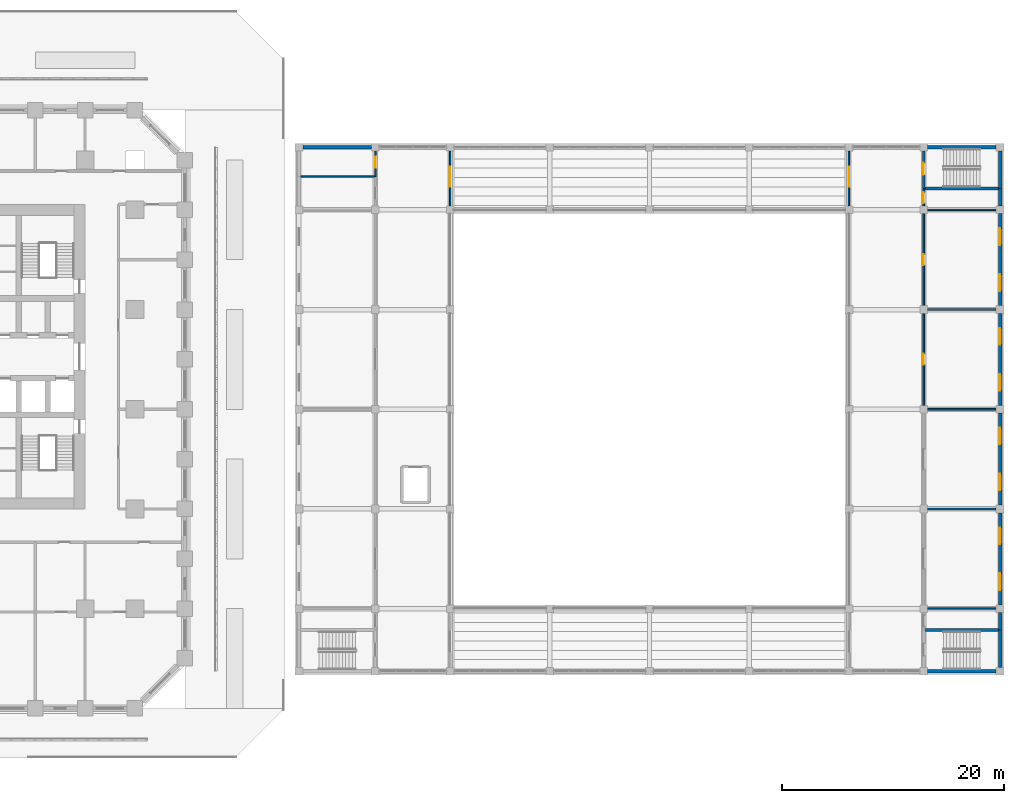
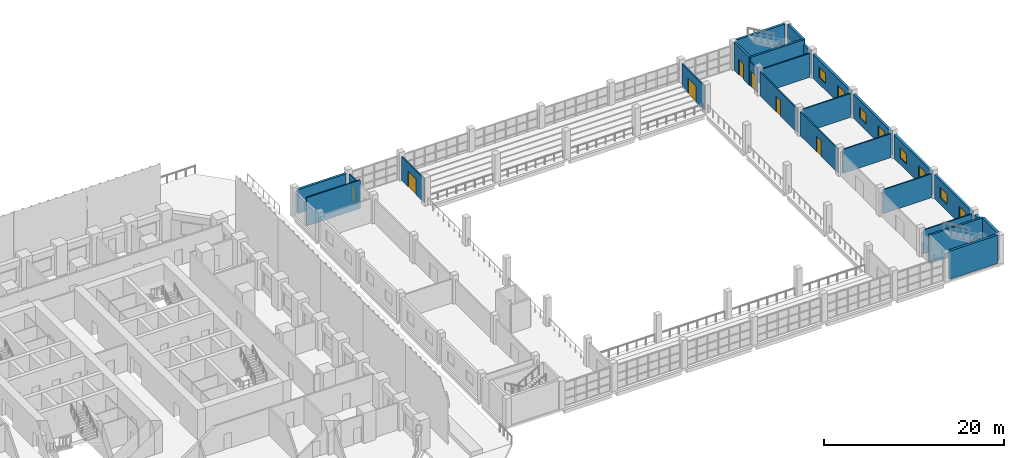
# One storey, part 24 of 36: 26 walls, 8 windows, 7 doors, 15 openings.
"""IFC4 building model written with IfcOpenShell, lengths in metres."""

from ifc_helpers import new_model, si_unit, direction, frame, frame_2d, origin, place, context, subcontext, project, spatial, rectangle, extrude, material, layer, layer_set, type_object, element, fill, save


model = new_model("IFC4")

# Units and contexts
model_context = context("Model", 3, precision=1e-05, world=origin(), true_north=direction((0.0, 1.0)))
body_context = subcontext(model_context, "Body", "Model", "MODEL_VIEW")
ifc_project = project(units=[si_unit("LENGTHUNIT", "METRE"), si_unit("AREAUNIT", "SQUARE_METRE"), si_unit("VOLUMEUNIT", "CUBIC_METRE"), si_unit("PLANEANGLEUNIT", "RADIAN"), si_unit("MASSUNIT", "GRAM", prefix="KILO")], contexts=[model_context])

# Site, building, storey
site_placement = place(None, origin())
site = spatial("IfcSite", under=ifc_project, at=site_placement, CompositionType="ELEMENT")
building_placement = place(site_placement, origin())
building = spatial("IfcBuilding", under=site, at=building_placement, Name="Corbel Stack Research Tower", CompositionType="ELEMENT")
storey_placement = place(building_placement, frame((0.0, 0.0, 7.199951171875)))
storey = spatial("IfcBuildingStorey", under=building, at=storey_placement, Name="L01", CompositionType="ELEMENT", Elevation=7.199951171875)

# Walls
ifc_material_1 = material(Name="Concrete C40/50", Category="concrete")
ifc_layer_1 = layer(ifc_material_1, 0.300048828125)
ifc_layer_set_1 = layer_set([ifc_layer_1], Name="Concrete C40/50")
wall_type_1 = type_object("IfcWallType", Name="HW1 exterior wall 300", PredefinedType="SOLIDWALL", material=ifc_layer_set_1)
wall_1_placement = place(storey_placement, frame((37.64990234375, 23.64990234375, 0.0), z_axis=(0.0, 0.0, 1.0), x_axis=(1.0, 0.0, 0.0)))
element("IfcWall", 1, at=wall_1_placement, inside=storey, type_object=wall_type_1, Name="Exterior wall L01 h23.65/37.6", PredefinedType="SOLIDWALL", context=body_context, shape_type="SweptSolid", body=[
    extrude(rectangle(XDim=6.2001953125, YDim=0.300048828125, at=frame_2d((3.10009765625, 0.0))), origin(), (0.0, 0.0, 1.0), 3.25),
])
wall_2_placement = place(storey_placement, frame((100.60009765625, -19.925048828125, 0.0), z_axis=(0.0, 0.0, 1.0), x_axis=(0.0, 1.0, 0.0)))
element("IfcWall", 2, at=wall_2_placement, inside=storey, type_object=wall_type_1, Name="Exterior wall L01 v100.60/-19.9", PredefinedType="SOLIDWALL", context=body_context, shape_type="SweptSolid", body=[
    extrude(rectangle(XDim=1.574951171875, YDim=0.300048828125, at=frame_2d((0.78759765625, 0.0))), origin(), (0.0, 0.0, 1.0), 3.25),
])

# Wall, openings, windows
wall_3_placement = place(storey_placement, frame((100.60009765625, -17.64990234375, 0.0), z_axis=(0.0, 0.0, 1.0), x_axis=(0.0, 1.0, 0.0)))
wall_3 = element("IfcWall", 3, at=wall_3_placement, inside=storey, type_object=wall_type_1, Name="Exterior wall L01 v100.60/-17.6", PredefinedType="SOLIDWALL", context=body_context, shape_type="SweptSolid", body=[
    extrude(rectangle(XDim=8.2998046875, YDim=0.300048828125, at=frame_2d((4.14990234375, 0.0))), origin(), (0.0, 0.0, 1.0), 3.25),
])
opening_1_placement = place(wall_3_placement, frame((1.324951171875, 0.0, 0.89990234375)))
opening_1 = element("IfcOpeningElement", 4, at=opening_1_placement, cuts=wall_3, Name="Opening HX1", PredefinedType="OPENING", context=body_context, shape_type="SweptSolid", body=[
    extrude(rectangle(XDim=1.5, YDim=1.39990234375, at=frame_2d((0.75, 0.699951171875))), frame((0.0, 0.159912109375, 0.0), z_axis=(0.0, -1.0, 0.0), x_axis=(1.0, 0.0, 0.0)), (0.0, 0.0, 1.0), 0.320068359375),
])
opening_2_placement = place(wall_3_placement, frame((5.47509765625, 0.0, 0.89990234375)))
opening_2 = element("IfcOpeningElement", 5, at=opening_2_placement, cuts=wall_3, Name="Opening HX1", PredefinedType="OPENING", context=body_context, shape_type="SweptSolid", body=[
    extrude(rectangle(XDim=1.5, YDim=1.39990234375, at=frame_2d((0.75, 0.699951171875))), frame((0.0, 0.159912109375, 0.0), z_axis=(0.0, -1.0, 0.0), x_axis=(1.0, 0.0, 0.0)), (0.0, 0.0, 1.0), 0.320068359375),
])
ifc_material_2 = material(Name="Glass and aluminium", Category="aluminium")
window_type = type_object("IfcWindowType", Name="HW6 window 1500 x 1400", PartitioningType="SINGLE_PANEL", PredefinedType="WINDOW", material=ifc_material_2)
window_1_placement = place(opening_1_placement, origin())
window_1 = element("IfcWindow", 6, at=window_1_placement, inside=storey, type_object=window_type, Name="Window L01 Studio 1", OverallHeight=1.39990234375, OverallWidth=1.5, PartitioningType="SINGLE_PANEL", PredefinedType="WINDOW", context=body_context, shape_type="SweptSolid", body=[
    extrude(rectangle(XDim=1.5, YDim=1.39990234375, at=frame_2d((0.75, 0.699951171875))), frame((0.0, 0.030029296875, 0.0), z_axis=(0.0, -1.0, 0.0), x_axis=(1.0, 0.0, 0.0)), (0.0, 0.0, 1.0), 0.06005859375),
])
fill(opening_1, window_1)
window_2_placement = place(opening_2_placement, origin())
window_2 = element("IfcWindow", 7, at=window_2_placement, inside=storey, type_object=window_type, Name="Window L01 Studio 1", OverallHeight=1.39990234375, OverallWidth=1.5, PartitioningType="SINGLE_PANEL", PredefinedType="WINDOW", context=body_context, shape_type="SweptSolid", body=[
    extrude(rectangle(XDim=1.5, YDim=1.39990234375, at=frame_2d((0.75, 0.699951171875))), frame((0.0, 0.030029296875, 0.0), z_axis=(0.0, -1.0, 0.0), x_axis=(1.0, 0.0, 0.0)), (0.0, 0.0, 1.0), 0.06005859375),
])
fill(opening_2, window_2)

wall_4_placement = place(storey_placement, frame((100.60009765625, -8.64990234375, 0.0), z_axis=(0.0, 0.0, 1.0), x_axis=(0.0, 1.0, 0.0)))
wall_4 = element("IfcWall", 8, at=wall_4_placement, inside=storey, type_object=wall_type_1, Name="Exterior wall L01 v100.60/-8.7", PredefinedType="SOLIDWALL", context=body_context, shape_type="SweptSolid", body=[
    extrude(rectangle(XDim=8.2998046875, YDim=0.300048828125, at=frame_2d((4.14990234375, 0.0))), origin(), (0.0, 0.0, 1.0), 3.25),
])
opening_3_placement = place(wall_4_placement, frame((1.324951171875, 0.0, 0.89990234375)))
opening_3 = element("IfcOpeningElement", 9, at=opening_3_placement, cuts=wall_4, Name="Opening HX1", PredefinedType="OPENING", context=body_context, shape_type="SweptSolid", body=[
    extrude(rectangle(XDim=1.5, YDim=1.39990234375, at=frame_2d((0.75, 0.699951171875))), frame((0.0, 0.159912109375, 0.0), z_axis=(0.0, -1.0, 0.0), x_axis=(1.0, 0.0, 0.0)), (0.0, 0.0, 1.0), 0.320068359375),
])
opening_4_placement = place(wall_4_placement, frame((5.47509765625, 0.0, 0.89990234375)))
opening_4 = element("IfcOpeningElement", 10, at=opening_4_placement, cuts=wall_4, Name="Opening HX1", PredefinedType="OPENING", context=body_context, shape_type="SweptSolid", body=[
    extrude(rectangle(XDim=1.5, YDim=1.39990234375, at=frame_2d((0.75, 0.699951171875))), frame((0.0, 0.159912109375, 0.0), z_axis=(0.0, -1.0, 0.0), x_axis=(1.0, 0.0, 0.0)), (0.0, 0.0, 1.0), 0.320068359375),
])
window_3_placement = place(opening_3_placement, origin())
window_3 = element("IfcWindow", 11, at=window_3_placement, inside=storey, type_object=window_type, Name="Window L01 Studio 2", OverallHeight=1.39990234375, OverallWidth=1.5, PartitioningType="SINGLE_PANEL", PredefinedType="WINDOW", context=body_context, shape_type="SweptSolid", body=[
    extrude(rectangle(XDim=1.5, YDim=1.39990234375, at=frame_2d((0.75, 0.699951171875))), frame((0.0, 0.030029296875, 0.0), z_axis=(0.0, -1.0, 0.0), x_axis=(1.0, 0.0, 0.0)), (0.0, 0.0, 1.0), 0.06005859375),
])
fill(opening_3, window_3)
window_4_placement = place(opening_4_placement, origin())
window_4 = element("IfcWindow", 12, at=window_4_placement, inside=storey, type_object=window_type, Name="Window L01 Studio 2", OverallHeight=1.39990234375, OverallWidth=1.5, PartitioningType="SINGLE_PANEL", PredefinedType="WINDOW", context=body_context, shape_type="SweptSolid", body=[
    extrude(rectangle(XDim=1.5, YDim=1.39990234375, at=frame_2d((0.75, 0.699951171875))), frame((0.0, 0.030029296875, 0.0), z_axis=(0.0, -1.0, 0.0), x_axis=(1.0, 0.0, 0.0)), (0.0, 0.0, 1.0), 0.06005859375),
])
fill(opening_4, window_4)

wall_5_placement = place(storey_placement, frame((100.60009765625, 0.35009765625, 0.0), z_axis=(0.0, 0.0, 1.0), x_axis=(0.0, 1.0, 0.0)))
wall_5 = element("IfcWall", 13, at=wall_5_placement, inside=storey, type_object=wall_type_1, Name="Exterior wall L01 v100.60/0.3", PredefinedType="SOLIDWALL", context=body_context, shape_type="SweptSolid", body=[
    extrude(rectangle(XDim=8.2998046875, YDim=0.300048828125, at=frame_2d((4.14990234375, 0.0))), origin(), (0.0, 0.0, 1.0), 3.25),
])
opening_5_placement = place(wall_5_placement, frame((1.324951171875, 0.0, 0.89990234375)))
opening_5 = element("IfcOpeningElement", 14, at=opening_5_placement, cuts=wall_5, Name="Opening HX1", PredefinedType="OPENING", context=body_context, shape_type="SweptSolid", body=[
    extrude(rectangle(XDim=1.5, YDim=1.39990234375, at=frame_2d((0.75, 0.699951171875))), frame((0.0, 0.159912109375, 0.0), z_axis=(0.0, -1.0, 0.0), x_axis=(1.0, 0.0, 0.0)), (0.0, 0.0, 1.0), 0.320068359375),
])
opening_6_placement = place(wall_5_placement, frame((5.47509765625, 0.0, 0.89990234375)))
opening_6 = element("IfcOpeningElement", 15, at=opening_6_placement, cuts=wall_5, Name="Opening HX1", PredefinedType="OPENING", context=body_context, shape_type="SweptSolid", body=[
    extrude(rectangle(XDim=1.5, YDim=1.39990234375, at=frame_2d((0.75, 0.699951171875))), frame((0.0, 0.159912109375, 0.0), z_axis=(0.0, -1.0, 0.0), x_axis=(1.0, 0.0, 0.0)), (0.0, 0.0, 1.0), 0.320068359375),
])
window_5_placement = place(opening_5_placement, origin())
window_5 = element("IfcWindow", 16, at=window_5_placement, inside=storey, type_object=window_type, Name="Window L01 Club room", OverallHeight=1.39990234375, OverallWidth=1.5, PartitioningType="SINGLE_PANEL", PredefinedType="WINDOW", context=body_context, shape_type="SweptSolid", body=[
    extrude(rectangle(XDim=1.5, YDim=1.39990234375, at=frame_2d((0.75, 0.699951171875))), frame((0.0, 0.030029296875, 0.0), z_axis=(0.0, -1.0, 0.0), x_axis=(1.0, 0.0, 0.0)), (0.0, 0.0, 1.0), 0.06005859375),
])
fill(opening_5, window_5)
window_6_placement = place(opening_6_placement, origin())
window_6 = element("IfcWindow", 17, at=window_6_placement, inside=storey, type_object=window_type, Name="Window L01 Club room", OverallHeight=1.39990234375, OverallWidth=1.5, PartitioningType="SINGLE_PANEL", PredefinedType="WINDOW", context=body_context, shape_type="SweptSolid", body=[
    extrude(rectangle(XDim=1.5, YDim=1.39990234375, at=frame_2d((0.75, 0.699951171875))), frame((0.0, 0.030029296875, 0.0), z_axis=(0.0, -1.0, 0.0), x_axis=(1.0, 0.0, 0.0)), (0.0, 0.0, 1.0), 0.06005859375),
])
fill(opening_6, window_6)

wall_6_placement = place(storey_placement, frame((100.60009765625, 9.35009765625, 0.0), z_axis=(0.0, 0.0, 1.0), x_axis=(0.0, 1.0, 0.0)))
wall_6 = element("IfcWall", 18, at=wall_6_placement, inside=storey, type_object=wall_type_1, Name="Exterior wall L01 v100.60/9.3", PredefinedType="SOLIDWALL", context=body_context, shape_type="SweptSolid", body=[
    extrude(rectangle(XDim=8.2998046875, YDim=0.300048828125, at=frame_2d((4.14990234375, 0.0))), origin(), (0.0, 0.0, 1.0), 3.25),
])
opening_7_placement = place(wall_6_placement, frame((1.324951171875, 0.0, 0.89990234375)))
opening_7 = element("IfcOpeningElement", 19, at=opening_7_placement, cuts=wall_6, Name="Opening HX1", PredefinedType="OPENING", context=body_context, shape_type="SweptSolid", body=[
    extrude(rectangle(XDim=1.5, YDim=1.39990234375, at=frame_2d((0.75, 0.699951171875))), frame((0.0, 0.159912109375, 0.0), z_axis=(0.0, -1.0, 0.0), x_axis=(1.0, 0.0, 0.0)), (0.0, 0.0, 1.0), 0.320068359375),
])
opening_8_placement = place(wall_6_placement, frame((5.47509765625, 0.0, 0.89990234375)))
opening_8 = element("IfcOpeningElement", 20, at=opening_8_placement, cuts=wall_6, Name="Opening HX1", PredefinedType="OPENING", context=body_context, shape_type="SweptSolid", body=[
    extrude(rectangle(XDim=1.5, YDim=1.39990234375, at=frame_2d((0.75, 0.699951171875))), frame((0.0, 0.159912109375, 0.0), z_axis=(0.0, -1.0, 0.0), x_axis=(1.0, 0.0, 0.0)), (0.0, 0.0, 1.0), 0.320068359375),
])
window_7_placement = place(opening_7_placement, origin())
window_7 = element("IfcWindow", 21, at=window_7_placement, inside=storey, type_object=window_type, Name="Window L01 Physiotherapy room", OverallHeight=1.39990234375, OverallWidth=1.5, PartitioningType="SINGLE_PANEL", PredefinedType="WINDOW", context=body_context, shape_type="SweptSolid", body=[
    extrude(rectangle(XDim=1.5, YDim=1.39990234375, at=frame_2d((0.75, 0.699951171875))), frame((0.0, 0.030029296875, 0.0), z_axis=(0.0, -1.0, 0.0), x_axis=(1.0, 0.0, 0.0)), (0.0, 0.0, 1.0), 0.06005859375),
])
fill(opening_7, window_7)
window_8_placement = place(opening_8_placement, origin())
window_8 = element("IfcWindow", 22, at=window_8_placement, inside=storey, type_object=window_type, Name="Window L01 Physiotherapy room", OverallHeight=1.39990234375, OverallWidth=1.5, PartitioningType="SINGLE_PANEL", PredefinedType="WINDOW", context=body_context, shape_type="SweptSolid", body=[
    extrude(rectangle(XDim=1.5, YDim=1.39990234375, at=frame_2d((0.75, 0.699951171875))), frame((0.0, 0.030029296875, 0.0), z_axis=(0.0, -1.0, 0.0), x_axis=(1.0, 0.0, 0.0)), (0.0, 0.0, 1.0), 0.06005859375),
])
fill(opening_8, window_8)

# Walls
wall_7_placement = place(storey_placement, frame((100.60009765625, 18.35009765625, 0.0), z_axis=(0.0, 0.0, 1.0), x_axis=(0.0, 1.0, 0.0)))
element("IfcWall", 23, at=wall_7_placement, inside=storey, type_object=wall_type_1, Name="Exterior wall L01 v100.60/18.4", PredefinedType="SOLIDWALL", context=body_context, shape_type="SweptSolid", body=[
    extrude(rectangle(XDim=1.574951171875, YDim=0.300048828125, at=frame_2d((0.78759765625, 0.0))), origin(), (0.0, 0.0, 1.0), 3.25),
])
ifc_material_3 = material(Name="Concrete C40/50", Category="concrete")
ifc_layer_2 = layer(ifc_material_3, 0.25)
ifc_layer_set_2 = layer_set([ifc_layer_2], Name="Concrete C40/50")
wall_type_2 = type_object("IfcWallType", Name="HW2 core wall C40/50 250", PredefinedType="SHEAR", material=ifc_layer_set_2)
for number, where, z_axis, x_axis, name in (
    (24, (93.699951171875, -19.925048828125, 0.0), (0.0, 0.0, 1.0), (1.0, 0.0, 0.0), "Wall L01 h-19.93/93.7"),
    (25, (93.699951171875, 19.925048828125, 0.0), (0.0, 0.0, 1.0), (1.0, 0.0, 0.0), "Wall L01 h19.93/93.7"),
):
    element("IfcWall", number, at=place(storey_placement, frame(where, z_axis=z_axis, x_axis=x_axis)), inside=storey, type_object=wall_type_2, Name=name, PredefinedType="SHEAR", context=body_context, shape_type="SweptSolid", body=[
        extrude(rectangle(XDim=6.900146484375, YDim=0.25, at=frame_2d((3.4501953125, 0.0))), origin(), (0.0, 0.0, 1.0), 3.85009765625),
    ])

# Wall, opening, door
wall_8_placement = place(storey_placement, frame((93.699951171875, 19.925048828125, 0.0), z_axis=(0.0, 0.0, 1.0), x_axis=(0.0, 1.0, 0.0)))
wall_8 = element("IfcWall", 26, at=wall_8_placement, inside=storey, type_object=wall_type_2, Name="Wall L01 v93.70/19.9", PredefinedType="SHEAR", context=body_context, shape_type="SweptSolid", body=[
    extrude(rectangle(XDim=3.375, YDim=0.25, at=frame_2d((1.6875, 0.0))), origin(), (0.0, 0.0, 1.0), 3.85009765625),
])
opening_9_placement = place(wall_8_placement, frame((1.22509765625, 0.0, 0.0)))
opening_9 = element("IfcOpeningElement", 27, at=opening_9_placement, cuts=wall_8, Name="Opening H1-19", PredefinedType="OPENING", context=body_context, shape_type="SweptSolid", body=[
    extrude(rectangle(XDim=1.10009765625, YDim=2.10009765625, at=frame_2d((0.550048828125, 1.050048828125))), frame((0.0, 0.135009765625, 0.0), z_axis=(0.0, -1.0, 0.0), x_axis=(1.0, 0.0, 0.0)), (0.0, 0.0, 1.0), 0.27001953125),
])
ifc_material_4 = material(Name="Steel", Category="steel")
door_type_1 = type_object("IfcDoorType", Name="HD4 fire door 1100 x 2100", OperationType="NOTDEFINED", PredefinedType="DOOR", material=ifc_material_4)
door_1_placement = place(opening_9_placement, origin())
door_1 = element("IfcDoor", 28, at=door_1_placement, inside=storey, type_object=door_type_1, Name="Door H1-19", OperationType="SINGLE_SWING_LEFT", OverallHeight=2.10009765625, OverallWidth=1.10009765625, PredefinedType="DOOR", context=body_context, shape_type="SweptSolid", body=[
    extrude(rectangle(XDim=1.10009765625, YDim=2.10009765625, at=frame_2d((0.550048828125, 1.050048828125))), frame((0.0, 0.02490234375, 0.0), z_axis=(0.0, -1.0, 0.0), x_axis=(1.0, 0.0, 0.0)), (0.0, 0.0, 1.0), 0.050048828125),
])
fill(opening_9, door_1)

# Walls
ifc_material_5 = material(Name="Concrete masonry unit", Category="masonry")
ifc_layer_3 = layer(ifc_material_5, 0.14990234375)
ifc_layer_set_3 = layer_set([ifc_layer_3], Name="Concrete masonry unit")
wall_type_3 = type_object("IfcWallType", Name="HW3 partition 150", PredefinedType="PARTITIONING", material=ifc_layer_set_3)
for number, where, z_axis, x_axis, name in (
    (29, (94.050048828125, -18.0, 0.0), (0.0, 0.0, 1.0), (1.0, 0.0, 0.0), "Wall L01 h-18.00/94.0"),
    (30, (94.050048828125, -9.0, 0.0), (0.0, 0.0, 1.0), (1.0, 0.0, 0.0), "Wall L01 h-9.00/94.0"),
    (31, (94.050048828125, 0.0, 0.0), (0.0, 0.0, 1.0), (1.0, 0.0, 0.0), "Wall L01 h0.00/94.0"),
    (32, (94.050048828125, 9.0, 0.0), (0.0, 0.0, 1.0), (1.0, 0.0, 0.0), "Wall L01 h9.00/94.0"),
    (33, (94.050048828125, 18.0, 0.0), (0.0, 0.0, 1.0), (1.0, 0.0, 0.0), "Wall L01 h18.00/94.0"),
):
    element("IfcWall", number, at=place(storey_placement, frame(where, z_axis=z_axis, x_axis=x_axis)), inside=storey, type_object=wall_type_3, Name=name, PredefinedType="PARTITIONING", context=body_context, shape_type="SweptSolid", body=[
        extrude(rectangle(XDim=6.199951171875, YDim=0.14990234375, at=frame_2d((3.10009765625, 0.0))), origin(), (0.0, 0.0, 1.0), 3.25),
    ])
wall_9_placement = place(storey_placement, frame((37.300048828125, 21.0, 0.0), z_axis=(0.0, 0.0, 1.0), x_axis=(1.0, 0.0, 0.0)))
element("IfcWall", 34, at=wall_9_placement, inside=storey, type_object=wall_type_3, Name="Wall L01 h21.00/37.3", PredefinedType="PARTITIONING", context=body_context, shape_type="SweptSolid", body=[
    extrude(rectangle(XDim=6.89990234375, YDim=0.14990234375, at=frame_2d((3.449951171875, 0.0))), origin(), (0.0, 0.0, 1.0), 3.85009765625),
])

# Wall, opening, door
wall_10_placement = place(storey_placement, frame((44.199951171875, 21.0, 0.0), z_axis=(0.0, 0.0, 1.0), x_axis=(0.0, 1.0, 0.0)))
wall_10 = element("IfcWall", 35, at=wall_10_placement, inside=storey, type_object=wall_type_3, Name="Wall L01 v44.20/21.0", PredefinedType="PARTITIONING", context=body_context, shape_type="SweptSolid", body=[
    extrude(rectangle(XDim=2.300048828125, YDim=0.14990234375, at=frame_2d((1.14990234375, 0.0))), origin(), (0.0, 0.0, 1.0), 3.25),
])
opening_10_placement = place(wall_10_placement, frame((0.800048828125, 0.0, 0.0)))
opening_10 = element("IfcOpeningElement", 36, at=opening_10_placement, cuts=wall_10, Name="Opening H1-07", PredefinedType="OPENING", context=body_context, shape_type="SweptSolid", body=[
    extrude(rectangle(XDim=1.0, YDim=2.10009765625, at=frame_2d((0.5, 1.050048828125))), frame((0.0, 0.0849609375, 0.0), z_axis=(0.0, -1.0, 0.0), x_axis=(1.0, 0.0, 0.0)), (0.0, 0.0, 1.0), 0.169921875),
])
ifc_material_6 = material(Name="Timber", Category="wood")
door_type_2 = type_object("IfcDoorType", Name="HD1 single door 1000 x 2100", OperationType="NOTDEFINED", PredefinedType="DOOR", material=ifc_material_6)
door_2_placement = place(opening_10_placement, origin())
door_2 = element("IfcDoor", 37, at=door_2_placement, inside=storey, type_object=door_type_2, Name="Door H1-07", OperationType="SINGLE_SWING_LEFT", OverallHeight=2.10009765625, OverallWidth=1.0, PredefinedType="DOOR", context=body_context, shape_type="SweptSolid", body=[
    extrude(rectangle(XDim=1.0, YDim=2.10009765625, at=frame_2d((0.5, 1.050048828125))), frame((0.0, 0.02490234375, 0.0), z_axis=(0.0, -1.0, 0.0), x_axis=(1.0, 0.0, 0.0)), (0.0, 0.0, 1.0), 0.050048828125),
])
fill(opening_10, door_2)

wall_11_placement = place(storey_placement, frame((50.949951171875, 18.35009765625, 0.0), z_axis=(0.0, 0.0, 1.0), x_axis=(0.0, 1.0, 0.0)))
wall_11 = element("IfcWall", 38, at=wall_11_placement, inside=storey, type_object=wall_type_3, Name="Wall L01 v50.95/18.4", PredefinedType="PARTITIONING", context=body_context, shape_type="SweptSolid", body=[
    extrude(rectangle(XDim=4.949951171875, YDim=0.14990234375, at=frame_2d((2.47509765625, 0.0))), origin(), (0.0, 0.0, 1.0), 3.25),
])
opening_11_placement = place(wall_11_placement, frame((1.75, 0.0, 0.0)))
opening_11 = element("IfcOpeningElement", 39, at=opening_11_placement, cuts=wall_11, Name="Opening H1-09", PredefinedType="OPENING", context=body_context, shape_type="SweptSolid", body=[
    extrude(rectangle(XDim=1.800048828125, YDim=2.10009765625, at=frame_2d((0.89990234375, 1.050048828125))), frame((0.0, 0.0849609375, 0.0), z_axis=(0.0, -1.0, 0.0), x_axis=(1.0, 0.0, 0.0)), (0.0, 0.0, 1.0), 0.169921875),
])
ifc_material_7 = material(Name="Timber", Category="wood")
door_type_3 = type_object("IfcDoorType", Name="HD2 double door 1800 x 2100", OperationType="DOUBLE_DOOR_SINGLE_SWING", PredefinedType="DOOR", material=ifc_material_7)
door_3_placement = place(opening_11_placement, origin())
door_3 = element("IfcDoor", 40, at=door_3_placement, inside=storey, type_object=door_type_3, Name="Door H1-09", OperationType="DOUBLE_DOOR_SINGLE_SWING", OverallHeight=2.10009765625, OverallWidth=1.800048828125, PredefinedType="DOOR", context=body_context, shape_type="SweptSolid", body=[
    extrude(rectangle(XDim=1.800048828125, YDim=2.10009765625, at=frame_2d((0.89990234375, 1.050048828125))), frame((0.0, 0.02490234375, 0.0), z_axis=(0.0, -1.0, 0.0), x_axis=(1.0, 0.0, 0.0)), (0.0, 0.0, 1.0), 0.050048828125),
])
fill(opening_11, door_3)

wall_12_placement = place(storey_placement, frame((86.949951171875, 23.300048828125, 0.0), z_axis=(0.0, 0.0, 1.0), x_axis=(0.0, -1.0, 0.0)))
wall_12 = element("IfcWall", 41, at=wall_12_placement, inside=storey, type_object=wall_type_3, Name="Wall L01 v86.95/18.4", PredefinedType="PARTITIONING", context=body_context, shape_type="SweptSolid", body=[
    extrude(rectangle(XDim=4.949951171875, YDim=0.14990234375, at=frame_2d((2.47509765625, 0.0))), origin(), (0.0, 0.0, 1.0), 3.25),
])
opening_12_placement = place(wall_12_placement, frame((1.39990234375, 0.0, 0.0)))
opening_12 = element("IfcOpeningElement", 42, at=opening_12_placement, cuts=wall_12, Name="Opening H1-11", PredefinedType="OPENING", context=body_context, shape_type="SweptSolid", body=[
    extrude(rectangle(XDim=1.800048828125, YDim=2.10009765625, at=frame_2d((0.89990234375, 1.050048828125))), frame((0.0, 0.0849609375, 0.0), z_axis=(0.0, -1.0, 0.0), x_axis=(1.0, 0.0, 0.0)), (0.0, 0.0, 1.0), 0.169921875),
])
door_4_placement = place(opening_12_placement, origin())
door_4 = element("IfcDoor", 43, at=door_4_placement, inside=storey, type_object=door_type_3, Name="Door H1-11", OperationType="DOUBLE_DOOR_SINGLE_SWING", OverallHeight=2.10009765625, OverallWidth=1.800048828125, PredefinedType="DOOR", context=body_context, shape_type="SweptSolid", body=[
    extrude(rectangle(XDim=1.800048828125, YDim=2.10009765625, at=frame_2d((0.89990234375, 1.050048828125))), frame((0.0, 0.02490234375, 0.0), z_axis=(0.0, -1.0, 0.0), x_axis=(1.0, 0.0, 0.0)), (0.0, 0.0, 1.0), 0.050048828125),
])
fill(opening_12, door_4)

wall_13_placement = place(storey_placement, frame((93.699951171875, 8.64990234375, 0.0), z_axis=(0.0, 0.0, 1.0), x_axis=(0.0, -1.0, 0.0)))
wall_13 = element("IfcWall", 44, at=wall_13_placement, inside=storey, type_object=wall_type_3, Name="Wall L01 v93.70/0.3", PredefinedType="PARTITIONING", context=body_context, shape_type="SweptSolid", body=[
    extrude(rectangle(XDim=8.2998046875, YDim=0.14990234375, at=frame_2d((4.14990234375, 0.0))), origin(), (0.0, 0.0, 1.0), 3.25),
])
opening_13_placement = place(wall_13_placement, frame((3.64990234375, 0.0, 0.0)))
opening_13 = element("IfcOpeningElement", 45, at=opening_13_placement, cuts=wall_13, Name="Opening H1-16", PredefinedType="OPENING", context=body_context, shape_type="SweptSolid", body=[
    extrude(rectangle(XDim=1.0, YDim=2.10009765625, at=frame_2d((0.5, 1.050048828125))), frame((0.0, 0.0849609375, 0.0), z_axis=(0.0, -1.0, 0.0), x_axis=(1.0, 0.0, 0.0)), (0.0, 0.0, 1.0), 0.169921875),
])
door_5_placement = place(opening_13_placement, origin())
door_5 = element("IfcDoor", 46, at=door_5_placement, inside=storey, type_object=door_type_2, Name="Door H1-16", OperationType="SINGLE_SWING_RIGHT", OverallHeight=2.10009765625, OverallWidth=1.0, PredefinedType="DOOR", context=body_context, shape_type="SweptSolid", body=[
    extrude(rectangle(XDim=1.0, YDim=2.10009765625, at=frame_2d((0.5, 1.050048828125))), frame((0.0, 0.02490234375, 0.0), z_axis=(0.0, -1.0, 0.0), x_axis=(1.0, 0.0, 0.0)), (0.0, 0.0, 1.0), 0.050048828125),
])
fill(opening_13, door_5)

wall_14_placement = place(storey_placement, frame((93.699951171875, 17.64990234375, 0.0), z_axis=(0.0, 0.0, 1.0), x_axis=(0.0, -1.0, 0.0)))
wall_14 = element("IfcWall", 47, at=wall_14_placement, inside=storey, type_object=wall_type_3, Name="Wall L01 v93.70/9.3", PredefinedType="PARTITIONING", context=body_context, shape_type="SweptSolid", body=[
    extrude(rectangle(XDim=8.2998046875, YDim=0.14990234375, at=frame_2d((4.14990234375, 0.0))), origin(), (0.0, 0.0, 1.0), 3.25),
])
opening_14_placement = place(wall_14_placement, frame((3.64990234375, 0.0, 0.0)))
opening_14 = element("IfcOpeningElement", 48, at=opening_14_placement, cuts=wall_14, Name="Opening H1-17", PredefinedType="OPENING", context=body_context, shape_type="SweptSolid", body=[
    extrude(rectangle(XDim=1.0, YDim=2.10009765625, at=frame_2d((0.5, 1.050048828125))), frame((0.0, 0.0849609375, 0.0), z_axis=(0.0, -1.0, 0.0), x_axis=(1.0, 0.0, 0.0)), (0.0, 0.0, 1.0), 0.169921875),
])
door_6_placement = place(opening_14_placement, origin())
door_6 = element("IfcDoor", 49, at=door_6_placement, inside=storey, type_object=door_type_2, Name="Door H1-17", OperationType="SINGLE_SWING_LEFT", OverallHeight=2.10009765625, OverallWidth=1.0, PredefinedType="DOOR", context=body_context, shape_type="SweptSolid", body=[
    extrude(rectangle(XDim=1.0, YDim=2.10009765625, at=frame_2d((0.5, 1.050048828125))), frame((0.0, 0.02490234375, 0.0), z_axis=(0.0, -1.0, 0.0), x_axis=(1.0, 0.0, 0.0)), (0.0, 0.0, 1.0), 0.050048828125),
])
fill(opening_14, door_6)

wall_15_placement = place(storey_placement, frame((93.699951171875, 19.925048828125, 0.0), z_axis=(0.0, 0.0, 1.0), x_axis=(0.0, -1.0, 0.0)))
wall_15 = element("IfcWall", 50, at=wall_15_placement, inside=storey, type_object=wall_type_3, Name="Wall L01 v93.70/18.4", PredefinedType="PARTITIONING", context=body_context, shape_type="SweptSolid", body=[
    extrude(rectangle(XDim=1.574951171875, YDim=0.14990234375, at=frame_2d((0.78759765625, 0.0))), origin(), (0.0, 0.0, 1.0), 3.25),
])
opening_15_placement = place(wall_15_placement, frame((0.324951171875, 0.0, 0.0)))
opening_15 = element("IfcOpeningElement", 51, at=opening_15_placement, cuts=wall_15, Name="Opening H1-18", PredefinedType="OPENING", context=body_context, shape_type="SweptSolid", body=[
    extrude(rectangle(XDim=1.0, YDim=2.10009765625, at=frame_2d((0.5, 1.050048828125))), frame((0.0, 0.0849609375, 0.0), z_axis=(0.0, -1.0, 0.0), x_axis=(1.0, 0.0, 0.0)), (0.0, 0.0, 1.0), 0.169921875),
])
door_7_placement = place(opening_15_placement, origin())
door_7 = element("IfcDoor", 52, at=door_7_placement, inside=storey, type_object=door_type_2, Name="Door H1-18", OperationType="SINGLE_SWING_RIGHT", OverallHeight=2.10009765625, OverallWidth=1.0, PredefinedType="DOOR", context=body_context, shape_type="SweptSolid", body=[
    extrude(rectangle(XDim=1.0, YDim=2.10009765625, at=frame_2d((0.5, 1.050048828125))), frame((0.0, 0.02490234375, 0.0), z_axis=(0.0, -1.0, 0.0), x_axis=(1.0, 0.0, 0.0)), (0.0, 0.0, 1.0), 0.050048828125),
])
fill(opening_15, door_7)

# Walls
ifc_material_8 = material(Name="Concrete C40/50", Category="concrete")
ifc_layer_4 = layer(ifc_material_8, 0.300048828125)
ifc_layer_set_4 = layer_set([ifc_layer_4], Name="Concrete C40/50")
wall_type_4 = type_object("IfcWallType", Name="HW6 exterior wall C40/50 300", PredefinedType="SHEAR", material=ifc_layer_set_4)
for number, where, z_axis, x_axis, name in (
    (53, (94.050048828125, -23.64990234375, 0.0), (0.0, 0.0, 1.0), (1.0, 0.0, 0.0), "Exterior wall L01 h-23.65/94.0"),
    (54, (94.050048828125, 23.64990234375, 0.0), (0.0, 0.0, 1.0), (1.0, 0.0, 0.0), "Exterior wall L01 h23.65/94.0"),
):
    element("IfcWall", number, at=place(storey_placement, frame(where, z_axis=z_axis, x_axis=x_axis)), inside=storey, type_object=wall_type_4, Name=name, PredefinedType="SHEAR", context=body_context, shape_type="SweptSolid", body=[
        extrude(rectangle(XDim=6.199951171875, YDim=0.300048828125, at=frame_2d((3.10009765625, 0.0))), origin(), (0.0, 0.0, 1.0), 3.85009765625),
    ])
for number, where, z_axis, x_axis, name in (
    (55, (100.60009765625, -23.300048828125, 0.0), (0.0, 0.0, 1.0), (0.0, 1.0, 0.0), "Exterior wall L01 v100.60/-23.3"),
    (56, (100.60009765625, 19.925048828125, 0.0), (0.0, 0.0, 1.0), (0.0, 1.0, 0.0), "Exterior wall L01 v100.60/19.9"),
):
    element("IfcWall", number, at=place(storey_placement, frame(where, z_axis=z_axis, x_axis=x_axis)), inside=storey, type_object=wall_type_4, Name=name, PredefinedType="SHEAR", context=body_context, shape_type="SweptSolid", body=[
        extrude(rectangle(XDim=3.375, YDim=0.300048828125, at=frame_2d((1.6875, 0.0))), origin(), (0.0, 0.0, 1.0), 3.85009765625),
    ])

save(model, "model.ifc")
